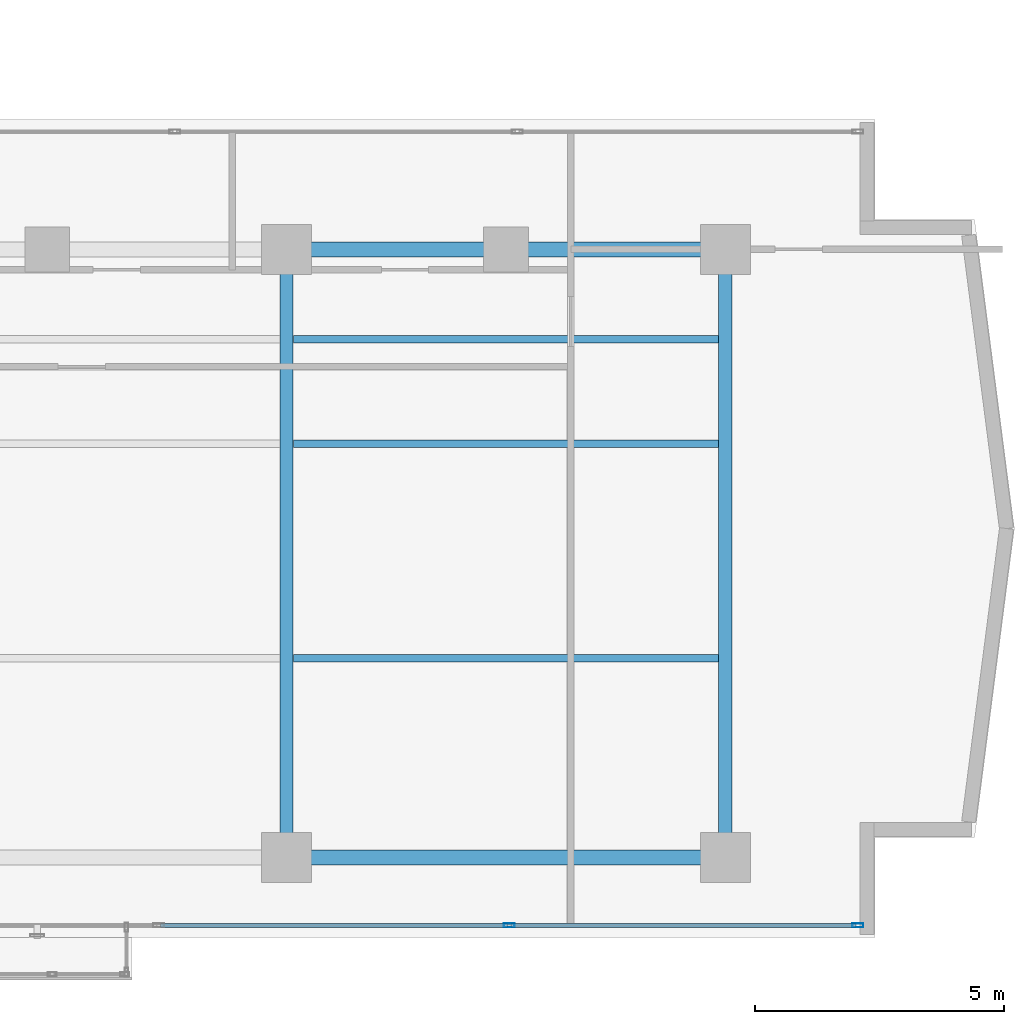
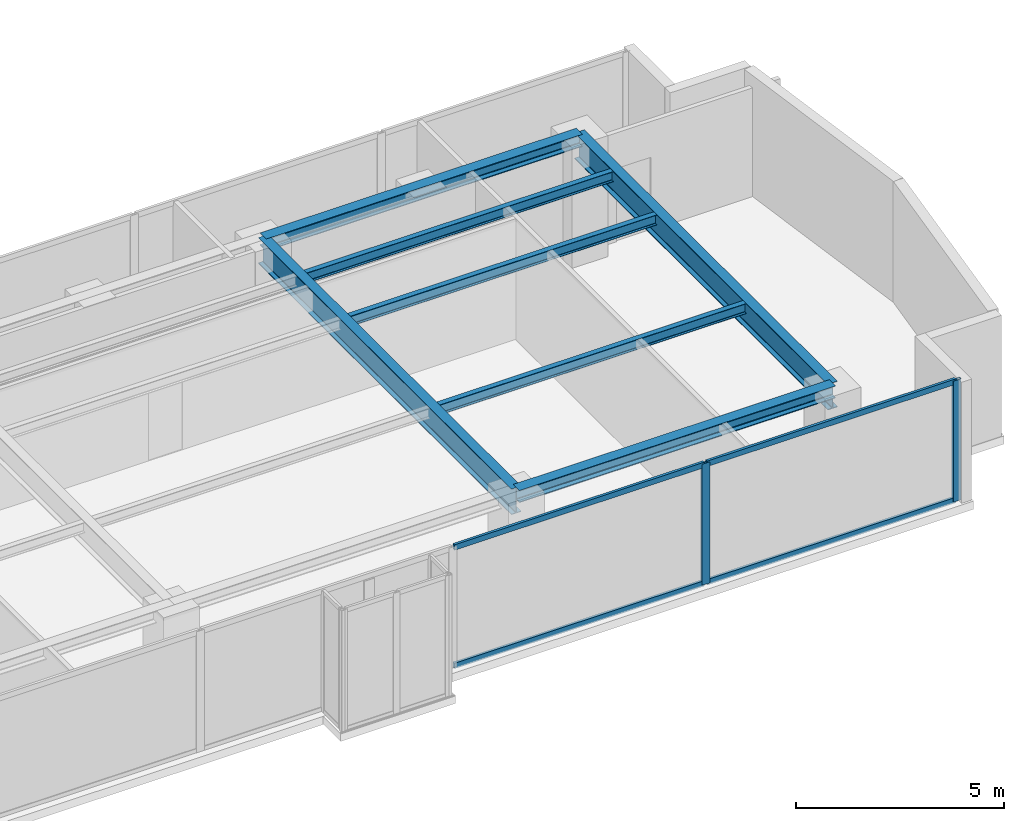
# One storey, part 11 of 23: 7 beams, 6 members, 1 element without a shape of its own.
"""IFC4 building model written with IfcOpenShell, lengths in metres."""

from ifc_helpers import new_model, si_unit, direction, frame, origin, origin_with_axes, origin_2d, place, context, subcontext, project, spatial, hollow_rectangle, i_section, extrude, source, transform, mapped, material, layer, layer_set, material_profile, profile_set, type_object, element, aggregate, save


model = new_model("IFC4")

# Units and contexts
model_context = context("Model", 3, precision=1e-05, world=origin(), true_north=direction((0.0, 1.0)))
body_context = subcontext(model_context, "Body", "Model", "MODEL_VIEW")
ifc_project = project(units=[si_unit("LENGTHUNIT", "METRE"), si_unit("AREAUNIT", "SQUARE_METRE"), si_unit("VOLUMEUNIT", "CUBIC_METRE"), si_unit("PLANEANGLEUNIT", "RADIAN"), si_unit("MASSUNIT", "GRAM", prefix="KILO")], contexts=[model_context])

# Site, building, storey
site_placement = place(None, origin())
site = spatial("IfcSite", under=ifc_project, at=site_placement, CompositionType="ELEMENT")
building_placement = place(site_placement, origin())
building = spatial("IfcBuilding", under=site, at=building_placement, Name="Kolvaren Waterfront Exchange", CompositionType="ELEMENT")
storey_placement = place(building_placement, frame((0.0, 0.0, 250.10009765625)))
storey = spatial("IfcBuildingStorey", under=building, at=storey_placement, Name="L64", CompositionType="ELEMENT", Elevation=250.10009765625)

# Beams
ifc_material_1 = material(Name="Steel S355", Category="steel")
ifc_material_profile_1 = material_profile(ifc_material_1, i_section(OverallWidth=0.300048828125, OverallDepth=0.360107421875, WebThickness=0.012451171875, FlangeThickness=0.0224609375, FilletRadius=0.027099609375, at=origin_2d()), Name="HEB360")
ifc_profile_set_1 = profile_set([ifc_material_profile_1], Name="Steel S355")
beam_type_1 = type_object("IfcBeamType", Name="STR-BM-HEB360", PredefinedType="SPANDREL", material=ifc_profile_set_1)
for number, where, z_axis, x_axis, name in (
    (1, (36.800048828125, 5.199951171875, 3.3798828125), (1.0, 0.0, 0.0), (0.0, 1.0, 0.0), "L64 east-arm spandrel S3"),
    (2, (36.800048828125, 17.39990234375, 3.3798828125), (1.0, 0.0, 0.0), (0.0, 1.0, 0.0), "L64 east-arm spandrel N3"),
):
    element("IfcBeam", number, at=place(storey_placement, frame(where, z_axis=z_axis, x_axis=x_axis)), inside=storey, type_object=beam_type_1, Name=name, PredefinedType="SPANDREL", context=body_context, shape_type="SweptSolid", body=[
        extrude(i_section(OverallWidth=0.300048828125, OverallDepth=0.360107421875, WebThickness=0.012451171875, FlangeThickness=0.0224609375, FilletRadius=0.027099609375, at=origin_2d()), origin(), (0.0, 0.0, 1.0), 8.800048828125),
    ])
ifc_material_profile_2 = material_profile(ifc_material_1, i_section(OverallWidth=0.14990234375, OverallDepth=0.300048828125, WebThickness=0.007080078125, FlangeThickness=0.0107421875, FilletRadius=0.014892578125, at=origin_2d()), Name="IPE300")
ifc_profile_set_2 = profile_set([ifc_material_profile_2], Name="Steel S355")
beam_type_2 = type_object("IfcBeamType", Name="STR-BM-IPE300", PredefinedType="JOIST", material=ifc_profile_set_2)
for number, where, z_axis, x_axis, name in (
    (3, (36.935546875, 13.5, 3.409912109375), (1.0, 0.0, 0.0), (0.0, 1.0, 0.0), "L64 east-arm composite joist 3A"),
    (4, (36.935546875, 15.60009765625, 3.409912109375), (1.0, 0.0, 0.0), (0.0, 1.0, 0.0), "L64 east-arm composite joist 3C"),
    (5, (36.935546875, 9.199951171875, 3.409912109375), (1.0, 0.0, 0.0), (0.0, 1.0, 0.0), "L64 east-arm composite joist 3B"),
):
    element("IfcBeam", number, at=place(storey_placement, frame(where, z_axis=z_axis, x_axis=x_axis)), inside=storey, type_object=beam_type_2, Name=name, PredefinedType="JOIST", context=body_context, shape_type="SweptSolid", body=[
        extrude(i_section(OverallWidth=0.14990234375, OverallDepth=0.300048828125, WebThickness=0.007080078125, FlangeThickness=0.0107421875, FilletRadius=0.014892578125, at=origin_2d()), origin(), (0.0, 0.0, 1.0), 8.529052734375),
    ])
ifc_material_profile_3 = material_profile(ifc_material_1, i_section(OverallWidth=0.26708984375, OverallDepth=0.761962890625, WebThickness=0.014404296875, FlangeThickness=0.021484375, FilletRadius=0.01708984375, at=origin_2d()), Name="IPE750x173")
ifc_profile_set_3 = profile_set([ifc_material_profile_3], Name="Steel S355")
beam_type_3 = type_object("IfcBeamType", Name="STR-BM-IPE750", PredefinedType="BEAM", material=ifc_profile_set_3)
for number, where, z_axis, x_axis, name in (
    (6, (36.800048828125, 5.199951171875, 3.178955078125), (0.0, 1.0, 0.0), (-1.0, 0.0, 0.0), "L64 east-arm transverse girder X36"),
    (7, (45.60009765625, 5.199951171875, 3.178955078125), (0.0, 1.0, 0.0), (-1.0, 0.0, 0.0), "L64 east-arm transverse girder X45"),
):
    element("IfcBeam", number, at=place(storey_placement, frame(where, z_axis=z_axis, x_axis=x_axis)), inside=storey, type_object=beam_type_3, Name=name, PredefinedType="BEAM", context=body_context, shape_type="SweptSolid", body=[
        extrude(i_section(OverallWidth=0.26708984375, OverallDepth=0.761962890625, WebThickness=0.014404296875, FlangeThickness=0.021484375, FilletRadius=0.01708984375, at=origin_2d()), origin(), (0.0, 0.0, 1.0), 12.199951171875),
    ])

# Curtain wall, members
ifc_material_2 = material(Name="Anodised bronze aluminium 6063-T6", Category="aluminium")
ifc_layer = layer(ifc_material_2, 0.219970703125, Name="Anodised bronze aluminium 6063-T6")
ifc_layer_set = layer_set([ifc_layer], Name="Anodised bronze aluminium 6063-T6")
curtain_wall_type = type_object("IfcCurtainWallType", Name="ARC-CW-SYS1", PredefinedType="USERDEFINED", material=ifc_layer_set)
curtain_wall_placement = place(storey_placement, origin())
curtain_wall = element("IfcCurtainWall", 8, at=curtain_wall_placement, inside=storey, type_object=curtain_wall_type, Name="L64 stick curtain wall CW1 (CW-L64-S)", ObjectType="STICK CURTAIN WALL", PredefinedType="USERDEFINED")
ifc_material_3 = material(Name="Anodised aluminium 6063-T6", Category="aluminium")
ifc_material_profile_4 = material_profile(ifc_material_3, hollow_rectangle(XDim=0.080078125, YDim=0.219970703125, WallThickness=0.0048828125, at=origin_2d()), Name="ALU-MUL-220x80x5")
ifc_profile_set_4 = profile_set([ifc_material_profile_4], Name="Anodised aluminium 6063-T6")
member_type_1 = type_object("IfcMemberType", Name="ARC-CWM-220", PredefinedType="MULLION", material=ifc_profile_set_4)
shared_shape_1 = source(origin_with_axes(), body_context, "Body", "SweptSolid", [
    extrude(hollow_rectangle(XDim=0.080078125, YDim=0.219970703125, WallThickness=0.0048828125, at=origin_2d()), origin(), (0.0, 0.0, 1.0), 3.559814453125),
])
member_1_placement = place(storey_placement, frame((41.2666015625, 3.840087890625, 0.0), z_axis=(0.0, 0.0, 1.0), x_axis=(0.0, 1.0, 0.0)))
member_1 = element("IfcMember", 9, at=member_1_placement, type_object=member_type_1, Name="CW1 mullion 6", PredefinedType="MULLION", context=body_context, shape_type="MappedRepresentation", body=[
    mapped(shared_shape_1, transform((0.0, 0.0, 0.0), x_axis=(1.0, 0.0, 0.0), y_axis=(0.0, 1.0, 0.0), z_axis=(0.0, 0.0, 1.0), scale=1.0)),
])
member_2_placement = place(storey_placement, frame((48.260009765625, 3.840087890625, 0.0), z_axis=(0.0, 0.0, 1.0), x_axis=(0.0, 1.0, 0.0)))
member_2 = element("IfcMember", 10, at=member_2_placement, type_object=member_type_1, Name="CW1 mullion 7", PredefinedType="MULLION", context=body_context, shape_type="MappedRepresentation", body=[
    mapped(shared_shape_1, transform((0.0, 0.0, 0.0), x_axis=(1.0, 0.0, 0.0), y_axis=(0.0, 1.0, 0.0), z_axis=(0.0, 0.0, 1.0), scale=1.0)),
])
ifc_material_profile_5 = material_profile(ifc_material_3, hollow_rectangle(XDim=0.074951171875, YDim=0.159912109375, WallThickness=0.00439453125, at=origin_2d()), Name="ALU-TRN-160x75x4.5")
ifc_profile_set_5 = profile_set([ifc_material_profile_5], Name="Anodised aluminium 6063-T6")
member_type_2 = type_object("IfcMemberType", Name="ARC-CWT-160", PredefinedType="USERDEFINED", material=ifc_profile_set_5)
shared_shape_2 = source(origin_with_axes(), body_context, "Body", "SweptSolid", [
    extrude(hollow_rectangle(XDim=0.074951171875, YDim=0.159912109375, WallThickness=0.00439453125, at=origin_2d()), origin(), (0.0, 0.0, 1.0), 6.913330078125),
])
member_3_placement = place(storey_placement, frame((41.306640625, 3.840087890625, 0.037353515625), z_axis=(1.0, 0.0, 0.0), x_axis=(0.0, 1.0, 0.0)))
member_3 = element("IfcMember", 11, at=member_3_placement, type_object=member_type_2, Name="CW1 transom 6.1", ObjectType="TRANSOM", PredefinedType="USERDEFINED", context=body_context, shape_type="MappedRepresentation", body=[
    mapped(shared_shape_2, transform((0.0, 0.0, 0.0), x_axis=(1.0, 0.0, 0.0), y_axis=(0.0, 1.0, 0.0), z_axis=(0.0, 0.0, 1.0), scale=1.0)),
])
member_4_placement = place(storey_placement, frame((41.306640625, 3.840087890625, 3.5224609375), z_axis=(1.0, 0.0, 0.0), x_axis=(0.0, 1.0, 0.0)))
member_4 = element("IfcMember", 12, at=member_4_placement, type_object=member_type_2, Name="CW1 transom 6.2", ObjectType="TRANSOM", PredefinedType="USERDEFINED", context=body_context, shape_type="MappedRepresentation", body=[
    mapped(shared_shape_2, transform((0.0, 0.0, 0.0), x_axis=(1.0, 0.0, 0.0), y_axis=(0.0, 1.0, 0.0), z_axis=(0.0, 0.0, 1.0), scale=1.0)),
])
shared_shape_3 = source(origin_with_axes(), body_context, "Body", "SweptSolid", [
    extrude(hollow_rectangle(XDim=0.074951171875, YDim=0.159912109375, WallThickness=0.00439453125, at=origin_2d()), origin(), (0.0, 0.0, 1.0), 6.953125),
])
member_5_placement = place(storey_placement, frame((34.2734375, 3.840087890625, 0.037353515625), z_axis=(1.0, 0.0, 0.0), x_axis=(0.0, 1.0, 0.0)))
member_5 = element("IfcMember", 13, at=member_5_placement, type_object=member_type_2, Name="CW1 transom 5.1", ObjectType="TRANSOM", PredefinedType="USERDEFINED", context=body_context, shape_type="MappedRepresentation", body=[
    mapped(shared_shape_3, transform((0.0, 0.0, 0.0), x_axis=(1.0, 0.0, 0.0), y_axis=(0.0, 1.0, 0.0), z_axis=(0.0, 0.0, 1.0), scale=1.0)),
])
member_6_placement = place(storey_placement, frame((34.2734375, 3.840087890625, 3.5224609375), z_axis=(1.0, 0.0, 0.0), x_axis=(0.0, 1.0, 0.0)))
member_6 = element("IfcMember", 14, at=member_6_placement, type_object=member_type_2, Name="CW1 transom 5.2", ObjectType="TRANSOM", PredefinedType="USERDEFINED", context=body_context, shape_type="MappedRepresentation", body=[
    mapped(shared_shape_3, transform((0.0, 0.0, 0.0), x_axis=(1.0, 0.0, 0.0), y_axis=(0.0, 1.0, 0.0), z_axis=(0.0, 0.0, 1.0), scale=1.0)),
])
aggregate(curtain_wall, [member_1, member_2, member_5, member_6, member_3, member_4])

save(model, "model.ifc")
